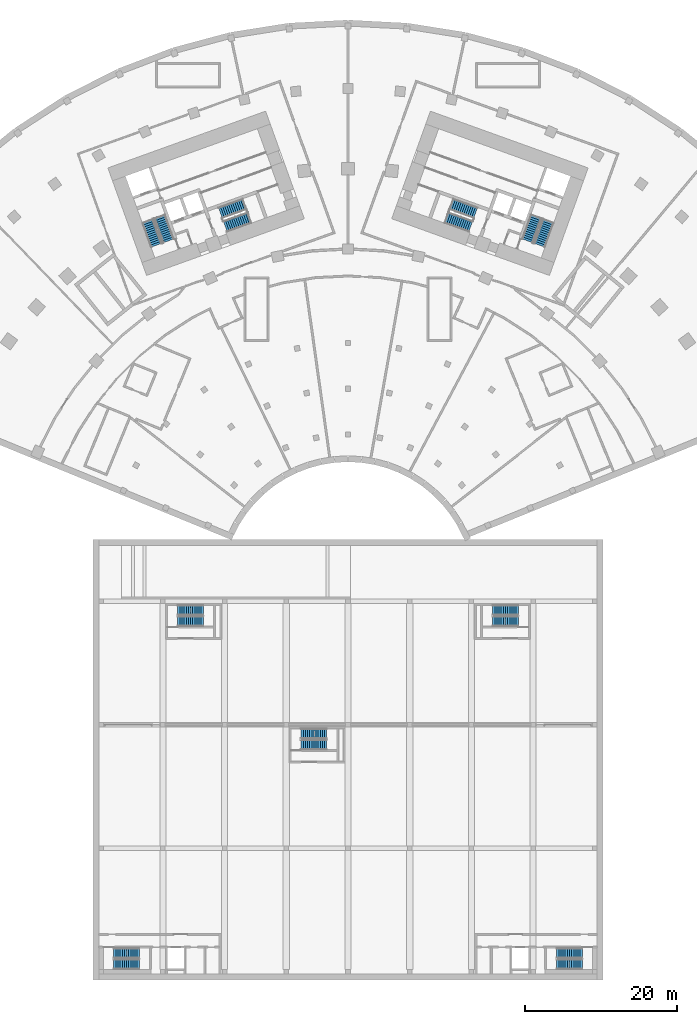
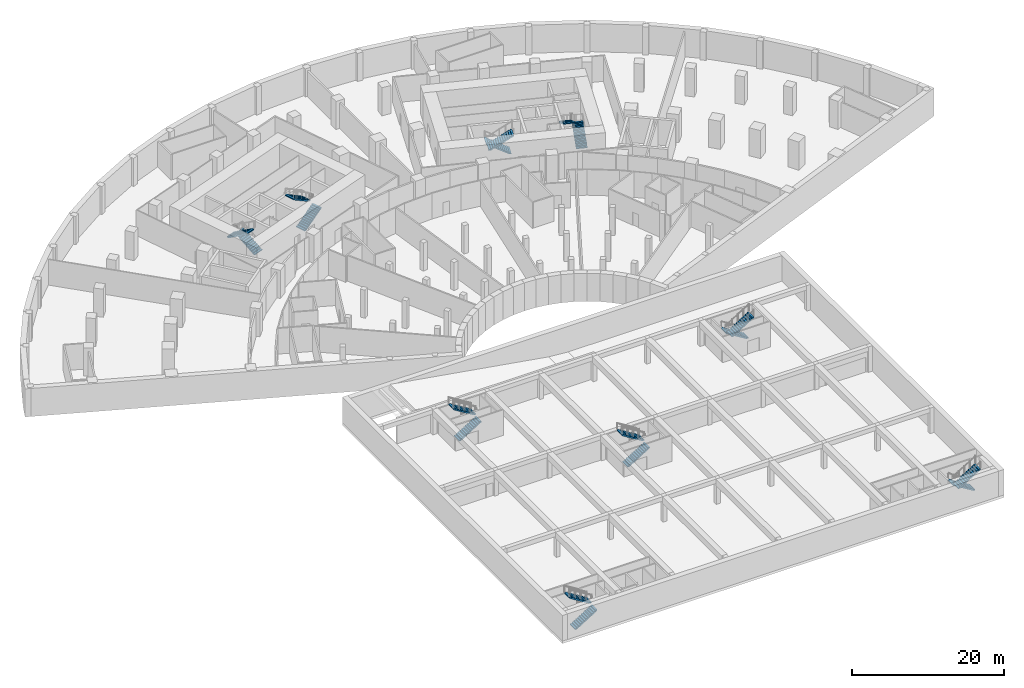
# One storey, part 14 of 21: 18 stair flights, 9 elements without a shape of their own.
"""IFC4 building model written with IfcOpenShell, lengths in metres."""

from ifc_helpers import new_model, si_unit, direction, frame, origin, place, context, subcontext, project, spatial, polyline, outline, extrude, material, layer, layer_set, type_object, element, aggregate, save


model = new_model("IFC4")

# Units and contexts
model_context = context("Model", 3, precision=1e-05, world=origin(), true_north=direction((0.0, 1.0)))
body_context = subcontext(model_context, "Body", "Model", "MODEL_VIEW")
ifc_project = project(units=[si_unit("LENGTHUNIT", "METRE"), si_unit("AREAUNIT", "SQUARE_METRE"), si_unit("VOLUMEUNIT", "CUBIC_METRE"), si_unit("PLANEANGLEUNIT", "RADIAN"), si_unit("MASSUNIT", "GRAM", prefix="KILO")], contexts=[model_context])

# Site, building, storey
site_placement = place(None, origin())
site = spatial("IfcSite", under=ifc_project, at=site_placement, CompositionType="ELEMENT")
building_placement = place(site_placement, origin())
building = spatial("IfcBuilding", under=site, at=building_placement, Name="Stone Belt Terrace Tower", CompositionType="ELEMENT")
storey_placement = place(building_placement, frame((0.0, 0.0, -9.0)))
storey = spatial("IfcBuildingStorey", under=building, at=storey_placement, Name="B2", CompositionType="ELEMENT", Elevation=-9.0)

# Stair, stair flights
ifc_material_1 = material(Name="Concrete B30", Category="concrete")
stair_type_1 = type_object("IfcStairType", Name="Car park stair 1200", PredefinedType="HALF_TURN_STAIR", material=ifc_material_1)
stair_1_placement = place(storey_placement, origin())
stair_1 = element("IfcStair", 1, at=stair_1_placement, inside=storey, type_object=stair_type_1, Name="B2 Car park stair 1", PredefinedType="HALF_TURN_STAIR")
ifc_layer = layer(ifc_material_1, 0.14990234375)
ifc_layer_set = layer_set([ifc_layer], Name="Car park stair flight 1200")
stair_flight_type_1 = type_object("IfcStairFlightType", Name="Car park stair flight 1200", PredefinedType="STRAIGHT", material=ifc_layer_set)
stair_flight_1_placement = place(storey_placement, frame((-30.75, -49.425048828125, 0.0), z_axis=(0.0, 0.0, 1.0), x_axis=(1.0, 0.0, 0.0)))
stair_flight_1 = element("IfcStairFlight", 2, at=stair_flight_1_placement, type_object=stair_flight_type_1, Name="CS1 flight 1", NumberOfRisers=13, NumberOfTreads=12, PredefinedType="STRAIGHT", RiserHeight=0.173076923, TreadLength=0.28, context=body_context, shape_type="SweptSolid", body=[
    extrude(outline(polyline([(0.0, 0.0), (0.0, 0.173095703125), (0.280029296875, 0.173095703125), (0.280029296875, 0.34619140625), (0.56005859375, 0.34619140625), (0.56005859375, 0.519287109375), (0.840087890625, 0.519287109375), (0.840087890625, 0.6923828125), (1.1201171875, 0.6923828125), (1.1201171875, 0.865478515625), (1.39990234375, 0.865478515625), (1.39990234375, 1.03857421875), (1.679931640625, 1.03857421875), (1.679931640625, 1.21142578125), (1.9599609375, 1.21142578125), (1.9599609375, 1.384521484375), (2.239990234375, 1.384521484375), (2.239990234375, 1.5576171875), (2.52001953125, 1.5576171875), (2.52001953125, 1.730712890625), (2.800048828125, 1.730712890625), (2.800048828125, 1.90380859375), (3.080078125, 1.90380859375), (3.080078125, 2.076904296875), (3.360107421875, 2.076904296875), (3.360107421875, 2.25), (3.360107421875, 1.900634765625), (0.28515625, 0.0), (0.0, 0.0)])), frame((0.0, 0.675048828125, 0.0), z_axis=(0.0, -1.0, 0.0), x_axis=(1.0, 0.0, 0.0)), (0.0, 0.0, 1.0), 1.35009765625),
])
stair_flight_2_placement = place(storey_placement, frame((-27.389892578125, -47.97509765625, 2.25), z_axis=(0.0, 0.0, 1.0), x_axis=(-1.0, 0.0, 0.0)))
stair_flight_2 = element("IfcStairFlight", 3, at=stair_flight_2_placement, type_object=stair_flight_type_1, Name="CS1 flight 2", NumberOfRisers=13, NumberOfTreads=12, PredefinedType="STRAIGHT", RiserHeight=0.173076923, TreadLength=0.28, context=body_context, shape_type="SweptSolid", body=[
    extrude(outline(polyline([(0.0, 0.0), (0.0, 0.173095703125), (0.280029296875, 0.173095703125), (0.280029296875, 0.34619140625), (0.56005859375, 0.34619140625), (0.56005859375, 0.519287109375), (0.840087890625, 0.519287109375), (0.840087890625, 0.6923828125), (1.1201171875, 0.6923828125), (1.1201171875, 0.865478515625), (1.39990234375, 0.865478515625), (1.39990234375, 1.03857421875), (1.679931640625, 1.03857421875), (1.679931640625, 1.21142578125), (1.9599609375, 1.21142578125), (1.9599609375, 1.384521484375), (2.239990234375, 1.384521484375), (2.239990234375, 1.5576171875), (2.52001953125, 1.5576171875), (2.52001953125, 1.730712890625), (2.800048828125, 1.730712890625), (2.800048828125, 1.90380859375), (3.080078125, 1.90380859375), (3.080078125, 2.076904296875), (3.360107421875, 2.076904296875), (3.360107421875, 2.25), (3.360107421875, 1.900634765625), (0.28515625, 0.0), (0.0, 0.0)])), frame((0.0, 0.675048828125, 0.0), z_axis=(0.0, -1.0, 0.0), x_axis=(1.0, 0.0, 0.0)), (0.0, 0.0, 1.0), 1.35009765625),
])
aggregate(stair_1, [stair_flight_1, stair_flight_2])

stair_2_placement = place(storey_placement, origin())
stair_2 = element("IfcStair", 4, at=stair_2_placement, inside=storey, type_object=stair_type_1, Name="B2 Car park stair 2", PredefinedType="HALF_TURN_STAIR")
stair_flight_3_placement = place(storey_placement, frame((30.75, -47.97509765625, 0.0), z_axis=(0.0, 0.0, 1.0), x_axis=(-1.0, 0.0, 0.0)))
stair_flight_3 = element("IfcStairFlight", 5, at=stair_flight_3_placement, type_object=stair_flight_type_1, Name="CS2 flight 1", NumberOfRisers=13, NumberOfTreads=12, PredefinedType="STRAIGHT", RiserHeight=0.173076923, TreadLength=0.28, context=body_context, shape_type="SweptSolid", body=[
    extrude(outline(polyline([(0.0, 0.0), (0.0, 0.173095703125), (0.280029296875, 0.173095703125), (0.280029296875, 0.34619140625), (0.56005859375, 0.34619140625), (0.56005859375, 0.519287109375), (0.840087890625, 0.519287109375), (0.840087890625, 0.6923828125), (1.1201171875, 0.6923828125), (1.1201171875, 0.865478515625), (1.39990234375, 0.865478515625), (1.39990234375, 1.03857421875), (1.679931640625, 1.03857421875), (1.679931640625, 1.21142578125), (1.9599609375, 1.21142578125), (1.9599609375, 1.384521484375), (2.239990234375, 1.384521484375), (2.239990234375, 1.5576171875), (2.52001953125, 1.5576171875), (2.52001953125, 1.730712890625), (2.800048828125, 1.730712890625), (2.800048828125, 1.90380859375), (3.080078125, 1.90380859375), (3.080078125, 2.076904296875), (3.360107421875, 2.076904296875), (3.360107421875, 2.25), (3.360107421875, 1.900634765625), (0.28515625, 0.0), (0.0, 0.0)])), frame((0.0, 0.675048828125, 0.0), z_axis=(0.0, -1.0, 0.0), x_axis=(1.0, 0.0, 0.0)), (0.0, 0.0, 1.0), 1.35009765625),
])
stair_flight_4_placement = place(storey_placement, frame((27.389892578125, -49.425048828125, 2.25), z_axis=(0.0, 0.0, 1.0), x_axis=(1.0, 0.0, 0.0)))
stair_flight_4 = element("IfcStairFlight", 6, at=stair_flight_4_placement, type_object=stair_flight_type_1, Name="CS2 flight 2", NumberOfRisers=13, NumberOfTreads=12, PredefinedType="STRAIGHT", RiserHeight=0.173076923, TreadLength=0.28, context=body_context, shape_type="SweptSolid", body=[
    extrude(outline(polyline([(0.0, 0.0), (0.0, 0.173095703125), (0.280029296875, 0.173095703125), (0.280029296875, 0.34619140625), (0.56005859375, 0.34619140625), (0.56005859375, 0.519287109375), (0.840087890625, 0.519287109375), (0.840087890625, 0.6923828125), (1.1201171875, 0.6923828125), (1.1201171875, 0.865478515625), (1.39990234375, 0.865478515625), (1.39990234375, 1.03857421875), (1.679931640625, 1.03857421875), (1.679931640625, 1.21142578125), (1.9599609375, 1.21142578125), (1.9599609375, 1.384521484375), (2.239990234375, 1.384521484375), (2.239990234375, 1.5576171875), (2.52001953125, 1.5576171875), (2.52001953125, 1.730712890625), (2.800048828125, 1.730712890625), (2.800048828125, 1.90380859375), (3.080078125, 1.90380859375), (3.080078125, 2.076904296875), (3.360107421875, 2.076904296875), (3.360107421875, 2.25), (3.360107421875, 1.900634765625), (0.28515625, 0.0), (0.0, 0.0)])), frame((0.0, 0.675048828125, 0.0), z_axis=(0.0, -1.0, 0.0), x_axis=(1.0, 0.0, 0.0)), (0.0, 0.0, 1.0), 1.35009765625),
])
aggregate(stair_2, [stair_flight_3, stair_flight_4])

stair_3_placement = place(storey_placement, origin())
stair_3 = element("IfcStair", 7, at=stair_3_placement, inside=storey, type_object=stair_type_1, Name="B2 Car park stair 3", PredefinedType="HALF_TURN_STAIR")
stair_flight_5_placement = place(storey_placement, frame((-22.35009765625, -4.425048828125, 0.0), z_axis=(0.0, 0.0, 1.0), x_axis=(1.0, 0.0, 0.0)))
stair_flight_5 = element("IfcStairFlight", 8, at=stair_flight_5_placement, type_object=stair_flight_type_1, Name="CS3 flight 1", NumberOfRisers=13, NumberOfTreads=12, PredefinedType="STRAIGHT", RiserHeight=0.173076923, TreadLength=0.28, context=body_context, shape_type="SweptSolid", body=[
    extrude(outline(polyline([(0.0, 0.0), (0.0, 0.173095703125), (0.280029296875, 0.173095703125), (0.280029296875, 0.34619140625), (0.56005859375, 0.34619140625), (0.56005859375, 0.519287109375), (0.840087890625, 0.519287109375), (0.840087890625, 0.6923828125), (1.1201171875, 0.6923828125), (1.1201171875, 0.865478515625), (1.39990234375, 0.865478515625), (1.39990234375, 1.03857421875), (1.679931640625, 1.03857421875), (1.679931640625, 1.21142578125), (1.9599609375, 1.21142578125), (1.9599609375, 1.384521484375), (2.239990234375, 1.384521484375), (2.239990234375, 1.5576171875), (2.52001953125, 1.5576171875), (2.52001953125, 1.730712890625), (2.800048828125, 1.730712890625), (2.800048828125, 1.90380859375), (3.080078125, 1.90380859375), (3.080078125, 2.076904296875), (3.360107421875, 2.076904296875), (3.360107421875, 2.25), (3.360107421875, 1.900634765625), (0.28515625, 0.0), (0.0, 0.0)])), frame((0.0, 0.675048828125, 0.0), z_axis=(0.0, -1.0, 0.0), x_axis=(1.0, 0.0, 0.0)), (0.0, 0.0, 1.0), 1.35009765625),
])
stair_flight_6_placement = place(storey_placement, frame((-18.989990234375, -2.97509765625, 2.25), z_axis=(0.0, 0.0, 1.0), x_axis=(-1.0, 0.0, 0.0)))
stair_flight_6 = element("IfcStairFlight", 9, at=stair_flight_6_placement, type_object=stair_flight_type_1, Name="CS3 flight 2", NumberOfRisers=13, NumberOfTreads=12, PredefinedType="STRAIGHT", RiserHeight=0.173076923, TreadLength=0.28, context=body_context, shape_type="SweptSolid", body=[
    extrude(outline(polyline([(0.0, 0.0), (0.0, 0.173095703125), (0.280029296875, 0.173095703125), (0.280029296875, 0.34619140625), (0.56005859375, 0.34619140625), (0.56005859375, 0.519287109375), (0.840087890625, 0.519287109375), (0.840087890625, 0.6923828125), (1.1201171875, 0.6923828125), (1.1201171875, 0.865478515625), (1.39990234375, 0.865478515625), (1.39990234375, 1.03857421875), (1.679931640625, 1.03857421875), (1.679931640625, 1.21142578125), (1.9599609375, 1.21142578125), (1.9599609375, 1.384521484375), (2.239990234375, 1.384521484375), (2.239990234375, 1.5576171875), (2.52001953125, 1.5576171875), (2.52001953125, 1.730712890625), (2.800048828125, 1.730712890625), (2.800048828125, 1.90380859375), (3.080078125, 1.90380859375), (3.080078125, 2.076904296875), (3.360107421875, 2.076904296875), (3.360107421875, 2.25), (3.360107421875, 1.900634765625), (0.28515625, 0.0), (0.0, 0.0)])), frame((0.0, 0.675048828125, 0.0), z_axis=(0.0, -1.0, 0.0), x_axis=(1.0, 0.0, 0.0)), (0.0, 0.0, 1.0), 1.35009765625),
])
aggregate(stair_3, [stair_flight_5, stair_flight_6])

stair_4_placement = place(storey_placement, origin())
stair_4 = element("IfcStair", 10, at=stair_4_placement, inside=storey, type_object=stair_type_1, Name="B2 Car park stair 4", PredefinedType="HALF_TURN_STAIR")
stair_flight_7_placement = place(storey_placement, frame((22.35009765625, -2.97509765625, 0.0), z_axis=(0.0, 0.0, 1.0), x_axis=(-1.0, 0.0, 0.0)))
stair_flight_7 = element("IfcStairFlight", 11, at=stair_flight_7_placement, type_object=stair_flight_type_1, Name="CS4 flight 1", NumberOfRisers=13, NumberOfTreads=12, PredefinedType="STRAIGHT", RiserHeight=0.173076923, TreadLength=0.28, context=body_context, shape_type="SweptSolid", body=[
    extrude(outline(polyline([(0.0, 0.0), (0.0, 0.173095703125), (0.280029296875, 0.173095703125), (0.280029296875, 0.34619140625), (0.56005859375, 0.34619140625), (0.56005859375, 0.519287109375), (0.840087890625, 0.519287109375), (0.840087890625, 0.6923828125), (1.1201171875, 0.6923828125), (1.1201171875, 0.865478515625), (1.39990234375, 0.865478515625), (1.39990234375, 1.03857421875), (1.679931640625, 1.03857421875), (1.679931640625, 1.21142578125), (1.9599609375, 1.21142578125), (1.9599609375, 1.384521484375), (2.239990234375, 1.384521484375), (2.239990234375, 1.5576171875), (2.52001953125, 1.5576171875), (2.52001953125, 1.730712890625), (2.800048828125, 1.730712890625), (2.800048828125, 1.90380859375), (3.080078125, 1.90380859375), (3.080078125, 2.076904296875), (3.360107421875, 2.076904296875), (3.360107421875, 2.25), (3.360107421875, 1.900634765625), (0.28515625, 0.0), (0.0, 0.0)])), frame((0.0, 0.675048828125, 0.0), z_axis=(0.0, -1.0, 0.0), x_axis=(1.0, 0.0, 0.0)), (0.0, 0.0, 1.0), 1.35009765625),
])
stair_flight_8_placement = place(storey_placement, frame((18.989990234375, -4.425048828125, 2.25), z_axis=(0.0, 0.0, 1.0), x_axis=(1.0, 0.0, 0.0)))
stair_flight_8 = element("IfcStairFlight", 12, at=stair_flight_8_placement, type_object=stair_flight_type_1, Name="CS4 flight 2", NumberOfRisers=13, NumberOfTreads=12, PredefinedType="STRAIGHT", RiserHeight=0.173076923, TreadLength=0.28, context=body_context, shape_type="SweptSolid", body=[
    extrude(outline(polyline([(0.0, 0.0), (0.0, 0.173095703125), (0.280029296875, 0.173095703125), (0.280029296875, 0.34619140625), (0.56005859375, 0.34619140625), (0.56005859375, 0.519287109375), (0.840087890625, 0.519287109375), (0.840087890625, 0.6923828125), (1.1201171875, 0.6923828125), (1.1201171875, 0.865478515625), (1.39990234375, 0.865478515625), (1.39990234375, 1.03857421875), (1.679931640625, 1.03857421875), (1.679931640625, 1.21142578125), (1.9599609375, 1.21142578125), (1.9599609375, 1.384521484375), (2.239990234375, 1.384521484375), (2.239990234375, 1.5576171875), (2.52001953125, 1.5576171875), (2.52001953125, 1.730712890625), (2.800048828125, 1.730712890625), (2.800048828125, 1.90380859375), (3.080078125, 1.90380859375), (3.080078125, 2.076904296875), (3.360107421875, 2.076904296875), (3.360107421875, 2.25), (3.360107421875, 1.900634765625), (0.28515625, 0.0), (0.0, 0.0)])), frame((0.0, 0.675048828125, 0.0), z_axis=(0.0, -1.0, 0.0), x_axis=(1.0, 0.0, 0.0)), (0.0, 0.0, 1.0), 1.35009765625),
])
aggregate(stair_4, [stair_flight_7, stair_flight_8])

stair_5_placement = place(storey_placement, origin())
stair_5 = element("IfcStair", 13, at=stair_5_placement, inside=storey, type_object=stair_type_1, Name="B2 Car park stair 5", PredefinedType="HALF_TURN_STAIR")
stair_flight_9_placement = place(storey_placement, frame((-6.14990234375, -20.625, 0.0), z_axis=(0.0, 0.0, 1.0), x_axis=(1.0, 0.0, 0.0)))
stair_flight_9 = element("IfcStairFlight", 14, at=stair_flight_9_placement, type_object=stair_flight_type_1, Name="CS5 flight 1", NumberOfRisers=13, NumberOfTreads=12, PredefinedType="STRAIGHT", RiserHeight=0.173076923, TreadLength=0.28, context=body_context, shape_type="SweptSolid", body=[
    extrude(outline(polyline([(0.0, 0.0), (0.0, 0.173095703125), (0.280029296875, 0.173095703125), (0.280029296875, 0.34619140625), (0.56005859375, 0.34619140625), (0.56005859375, 0.519287109375), (0.840087890625, 0.519287109375), (0.840087890625, 0.6923828125), (1.1201171875, 0.6923828125), (1.1201171875, 0.865478515625), (1.39990234375, 0.865478515625), (1.39990234375, 1.03857421875), (1.679931640625, 1.03857421875), (1.679931640625, 1.21142578125), (1.9599609375, 1.21142578125), (1.9599609375, 1.384521484375), (2.239990234375, 1.384521484375), (2.239990234375, 1.5576171875), (2.52001953125, 1.5576171875), (2.52001953125, 1.730712890625), (2.800048828125, 1.730712890625), (2.800048828125, 1.90380859375), (3.080078125, 1.90380859375), (3.080078125, 2.076904296875), (3.360107421875, 2.076904296875), (3.360107421875, 2.25), (3.360107421875, 1.900634765625), (0.28515625, 0.0), (0.0, 0.0)])), frame((0.0, 0.675048828125, 0.0), z_axis=(0.0, -1.0, 0.0), x_axis=(1.0, 0.0, 0.0)), (0.0, 0.0, 1.0), 1.35009765625),
])
stair_flight_10_placement = place(storey_placement, frame((-2.7900390625, -19.175048828125, 2.25), z_axis=(0.0, 0.0, 1.0), x_axis=(-1.0, 0.0, 0.0)))
stair_flight_10 = element("IfcStairFlight", 15, at=stair_flight_10_placement, type_object=stair_flight_type_1, Name="CS5 flight 2", NumberOfRisers=13, NumberOfTreads=12, PredefinedType="STRAIGHT", RiserHeight=0.173076923, TreadLength=0.28, context=body_context, shape_type="SweptSolid", body=[
    extrude(outline(polyline([(0.0, 0.0), (0.0, 0.173095703125), (0.280029296875, 0.173095703125), (0.280029296875, 0.34619140625), (0.56005859375, 0.34619140625), (0.56005859375, 0.519287109375), (0.840087890625, 0.519287109375), (0.840087890625, 0.6923828125), (1.1201171875, 0.6923828125), (1.1201171875, 0.865478515625), (1.39990234375, 0.865478515625), (1.39990234375, 1.03857421875), (1.679931640625, 1.03857421875), (1.679931640625, 1.21142578125), (1.9599609375, 1.21142578125), (1.9599609375, 1.384521484375), (2.239990234375, 1.384521484375), (2.239990234375, 1.5576171875), (2.52001953125, 1.5576171875), (2.52001953125, 1.730712890625), (2.800048828125, 1.730712890625), (2.800048828125, 1.90380859375), (3.080078125, 1.90380859375), (3.080078125, 2.076904296875), (3.360107421875, 2.076904296875), (3.360107421875, 2.25), (3.360107421875, 1.900634765625), (0.28515625, 0.0), (0.0, 0.0)])), frame((0.0, 0.675048828125, 0.0), z_axis=(0.0, -1.0, 0.0), x_axis=(1.0, 0.0, 0.0)), (0.0, 0.0, 1.0), 1.35009765625),
])
aggregate(stair_5, [stair_flight_9, stair_flight_10])

ifc_material_2 = material(Name="Concrete B40", Category="concrete")
stair_type_2 = type_object("IfcStairType", Name="Exit stair 1500", PredefinedType="HALF_TURN_STAIR", material=ifc_material_2)
stair_6_placement = place(storey_placement, origin())
stair_6 = element("IfcStair", 16, at=stair_6_placement, inside=storey, type_object=stair_type_2, Name="B2 Exit stair 1 core A", PredefinedType="HALF_TURN_STAIR")
stair_flight_type_2 = type_object("IfcStairFlightType", Name="Stair flight 1500", PredefinedType="STRAIGHT", material=ifc_material_2)
stair_flight_11_placement = place(storey_placement, frame((-23.55322265625, 45.51318359375, 0.0), z_axis=(0.0, 0.0, 1.0), x_axis=(-0.338624396177, 0.940921632398, 0.0)))
stair_flight_11 = element("IfcStairFlight", 17, at=stair_flight_11_placement, type_object=stair_flight_type_2, Name="ST1A flight 1", NumberOfRisers=13, NumberOfTreads=12, PredefinedType="STRAIGHT", RiserHeight=0.173076923, TreadLength=0.28, context=body_context, shape_type="SweptSolid", body=[
    extrude(outline(polyline([(0.0, 0.0), (0.0, 0.173095703125), (0.280029296875, 0.173095703125), (0.280029296875, 0.34619140625), (0.56005859375, 0.34619140625), (0.56005859375, 0.519287109375), (0.840087890625, 0.519287109375), (0.840087890625, 0.6923828125), (1.1201171875, 0.6923828125), (1.1201171875, 0.865478515625), (1.39990234375, 0.865478515625), (1.39990234375, 1.03857421875), (1.679931640625, 1.03857421875), (1.679931640625, 1.21142578125), (1.9599609375, 1.21142578125), (1.9599609375, 1.384521484375), (2.239990234375, 1.384521484375), (2.239990234375, 1.5576171875), (2.52001953125, 1.5576171875), (2.52001953125, 1.730712890625), (2.800048828125, 1.730712890625), (2.800048828125, 1.90380859375), (3.080078125, 1.90380859375), (3.080078125, 2.076904296875), (3.360107421875, 2.076904296875), (3.360107421875, 2.25), (3.360107421875, 1.900634765625), (0.28515625, 0.0), (0.0, 0.0)])), frame((0.0, 0.75, 0.0), z_axis=(0.0, -1.0, 0.0), x_axis=(1.0, 0.0, 0.0)), (0.0, 0.0, 1.0), 1.5),
])
stair_flight_12_placement = place(storey_placement, frame((-26.290771484375, 48.098876953125, 2.25), z_axis=(0.0, 0.0, 1.0), x_axis=(0.338624396177, -0.940921632398, 0.0)))
stair_flight_12 = element("IfcStairFlight", 18, at=stair_flight_12_placement, type_object=stair_flight_type_2, Name="ST1A flight 2", NumberOfRisers=13, NumberOfTreads=12, PredefinedType="STRAIGHT", RiserHeight=0.173076923, TreadLength=0.28, context=body_context, shape_type="SweptSolid", body=[
    extrude(outline(polyline([(0.0, 0.0), (0.0, 0.173095703125), (0.280029296875, 0.173095703125), (0.280029296875, 0.34619140625), (0.56005859375, 0.34619140625), (0.56005859375, 0.519287109375), (0.840087890625, 0.519287109375), (0.840087890625, 0.6923828125), (1.1201171875, 0.6923828125), (1.1201171875, 0.865478515625), (1.39990234375, 0.865478515625), (1.39990234375, 1.03857421875), (1.679931640625, 1.03857421875), (1.679931640625, 1.21142578125), (1.9599609375, 1.21142578125), (1.9599609375, 1.384521484375), (2.239990234375, 1.384521484375), (2.239990234375, 1.5576171875), (2.52001953125, 1.5576171875), (2.52001953125, 1.730712890625), (2.800048828125, 1.730712890625), (2.800048828125, 1.90380859375), (3.080078125, 1.90380859375), (3.080078125, 2.076904296875), (3.360107421875, 2.076904296875), (3.360107421875, 2.25), (3.360107421875, 1.900634765625), (0.28515625, 0.0), (0.0, 0.0)])), frame((0.0, 0.75, 0.0), z_axis=(0.0, -1.0, 0.0), x_axis=(1.0, 0.0, 0.0)), (0.0, 0.0, 1.0), 1.5),
])
aggregate(stair_6, [stair_flight_11, stair_flight_12])

stair_7_placement = place(storey_placement, origin())
stair_7 = element("IfcStair", 19, at=stair_7_placement, inside=storey, type_object=stair_type_2, Name="B2 Exit stair 2 core A", PredefinedType="HALF_TURN_STAIR")
stair_flight_13_placement = place(storey_placement, frame((-16.101318359375, 47.39794921875, 0.0), z_axis=(0.0, 0.0, 1.0), x_axis=(0.940921632398, 0.338624396177, 0.0)))
stair_flight_13 = element("IfcStairFlight", 20, at=stair_flight_13_placement, type_object=stair_flight_type_2, Name="ST2A flight 1", NumberOfRisers=13, NumberOfTreads=12, PredefinedType="STRAIGHT", RiserHeight=0.173076923, TreadLength=0.28, context=body_context, shape_type="SweptSolid", body=[
    extrude(outline(polyline([(0.0, 0.0), (0.0, 0.173095703125), (0.280029296875, 0.173095703125), (0.280029296875, 0.34619140625), (0.56005859375, 0.34619140625), (0.56005859375, 0.519287109375), (0.840087890625, 0.519287109375), (0.840087890625, 0.6923828125), (1.1201171875, 0.6923828125), (1.1201171875, 0.865478515625), (1.39990234375, 0.865478515625), (1.39990234375, 1.03857421875), (1.679931640625, 1.03857421875), (1.679931640625, 1.21142578125), (1.9599609375, 1.21142578125), (1.9599609375, 1.384521484375), (2.239990234375, 1.384521484375), (2.239990234375, 1.5576171875), (2.52001953125, 1.5576171875), (2.52001953125, 1.730712890625), (2.800048828125, 1.730712890625), (2.800048828125, 1.90380859375), (3.080078125, 1.90380859375), (3.080078125, 2.076904296875), (3.360107421875, 2.076904296875), (3.360107421875, 2.25), (3.360107421875, 1.900634765625), (0.28515625, 0.0), (0.0, 0.0)])), frame((0.0, 0.75, 0.0), z_axis=(0.0, -1.0, 0.0), x_axis=(1.0, 0.0, 0.0)), (0.0, 0.0, 1.0), 1.5),
])
stair_flight_14_placement = place(storey_placement, frame((-13.583251953125, 50.323486328125, 2.25), z_axis=(0.0, 0.0, 1.0), x_axis=(-0.940921632398, -0.338624396177, 0.0)))
stair_flight_14 = element("IfcStairFlight", 21, at=stair_flight_14_placement, type_object=stair_flight_type_2, Name="ST2A flight 2", NumberOfRisers=13, NumberOfTreads=12, PredefinedType="STRAIGHT", RiserHeight=0.173076923, TreadLength=0.28, context=body_context, shape_type="SweptSolid", body=[
    extrude(outline(polyline([(0.0, 0.0), (0.0, 0.173095703125), (0.280029296875, 0.173095703125), (0.280029296875, 0.34619140625), (0.56005859375, 0.34619140625), (0.56005859375, 0.519287109375), (0.840087890625, 0.519287109375), (0.840087890625, 0.6923828125), (1.1201171875, 0.6923828125), (1.1201171875, 0.865478515625), (1.39990234375, 0.865478515625), (1.39990234375, 1.03857421875), (1.679931640625, 1.03857421875), (1.679931640625, 1.21142578125), (1.9599609375, 1.21142578125), (1.9599609375, 1.384521484375), (2.239990234375, 1.384521484375), (2.239990234375, 1.5576171875), (2.52001953125, 1.5576171875), (2.52001953125, 1.730712890625), (2.800048828125, 1.730712890625), (2.800048828125, 1.90380859375), (3.080078125, 1.90380859375), (3.080078125, 2.076904296875), (3.360107421875, 2.076904296875), (3.360107421875, 2.25), (3.360107421875, 1.900634765625), (0.28515625, 0.0), (0.0, 0.0)])), frame((0.0, 0.75, 0.0), z_axis=(0.0, -1.0, 0.0), x_axis=(1.0, 0.0, 0.0)), (0.0, 0.0, 1.0), 1.5),
])
aggregate(stair_7, [stair_flight_13, stair_flight_14])

stair_8_placement = place(storey_placement, origin())
stair_8 = element("IfcStair", 22, at=stair_8_placement, inside=storey, type_object=stair_type_2, Name="B2 Exit stair 1 core B", PredefinedType="HALF_TURN_STAIR")
stair_flight_15_placement = place(storey_placement, frame((25.15283203125, 44.9375, 0.0), z_axis=(0.0, 0.0, 1.0), x_axis=(0.338624396177, 0.940921632398, 0.0)))
stair_flight_15 = element("IfcStairFlight", 23, at=stair_flight_15_placement, type_object=stair_flight_type_2, Name="ST1B flight 1", NumberOfRisers=13, NumberOfTreads=12, PredefinedType="STRAIGHT", RiserHeight=0.173076923, TreadLength=0.28, context=body_context, shape_type="SweptSolid", body=[
    extrude(outline(polyline([(0.0, 0.0), (0.0, 0.173095703125), (0.280029296875, 0.173095703125), (0.280029296875, 0.34619140625), (0.56005859375, 0.34619140625), (0.56005859375, 0.519287109375), (0.840087890625, 0.519287109375), (0.840087890625, 0.6923828125), (1.1201171875, 0.6923828125), (1.1201171875, 0.865478515625), (1.39990234375, 0.865478515625), (1.39990234375, 1.03857421875), (1.679931640625, 1.03857421875), (1.679931640625, 1.21142578125), (1.9599609375, 1.21142578125), (1.9599609375, 1.384521484375), (2.239990234375, 1.384521484375), (2.239990234375, 1.5576171875), (2.52001953125, 1.5576171875), (2.52001953125, 1.730712890625), (2.800048828125, 1.730712890625), (2.800048828125, 1.90380859375), (3.080078125, 1.90380859375), (3.080078125, 2.076904296875), (3.360107421875, 2.076904296875), (3.360107421875, 2.25), (3.360107421875, 1.900634765625), (0.28515625, 0.0), (0.0, 0.0)])), frame((0.0, 0.75, 0.0), z_axis=(0.0, -1.0, 0.0), x_axis=(1.0, 0.0, 0.0)), (0.0, 0.0, 1.0), 1.5),
])
stair_flight_16_placement = place(storey_placement, frame((24.691162109375, 48.674560546875, 2.25), z_axis=(0.0, 0.0, 1.0), x_axis=(-0.338624396177, -0.940921632398, 0.0)))
stair_flight_16 = element("IfcStairFlight", 24, at=stair_flight_16_placement, type_object=stair_flight_type_2, Name="ST1B flight 2", NumberOfRisers=13, NumberOfTreads=12, PredefinedType="STRAIGHT", RiserHeight=0.173076923, TreadLength=0.28, context=body_context, shape_type="SweptSolid", body=[
    extrude(outline(polyline([(0.0, 0.0), (0.0, 0.173095703125), (0.280029296875, 0.173095703125), (0.280029296875, 0.34619140625), (0.56005859375, 0.34619140625), (0.56005859375, 0.519287109375), (0.840087890625, 0.519287109375), (0.840087890625, 0.6923828125), (1.1201171875, 0.6923828125), (1.1201171875, 0.865478515625), (1.39990234375, 0.865478515625), (1.39990234375, 1.03857421875), (1.679931640625, 1.03857421875), (1.679931640625, 1.21142578125), (1.9599609375, 1.21142578125), (1.9599609375, 1.384521484375), (2.239990234375, 1.384521484375), (2.239990234375, 1.5576171875), (2.52001953125, 1.5576171875), (2.52001953125, 1.730712890625), (2.800048828125, 1.730712890625), (2.800048828125, 1.90380859375), (3.080078125, 1.90380859375), (3.080078125, 2.076904296875), (3.360107421875, 2.076904296875), (3.360107421875, 2.25), (3.360107421875, 1.900634765625), (0.28515625, 0.0), (0.0, 0.0)])), frame((0.0, 0.75, 0.0), z_axis=(0.0, -1.0, 0.0), x_axis=(1.0, 0.0, 0.0)), (0.0, 0.0, 1.0), 1.5),
])
aggregate(stair_8, [stair_flight_15, stair_flight_16])

stair_9_placement = place(storey_placement, origin())
stair_9 = element("IfcStair", 25, at=stair_9_placement, inside=storey, type_object=stair_type_2, Name="B2 Exit stair 2 core B", PredefinedType="HALF_TURN_STAIR")
stair_flight_17_placement = place(storey_placement, frame((16.74462890625, 49.185546875, 0.0), z_axis=(0.0, 0.0, 1.0), x_axis=(-0.940921632398, 0.338624396177, 0.0)))
stair_flight_17 = element("IfcStairFlight", 26, at=stair_flight_17_placement, type_object=stair_flight_type_2, Name="ST2B flight 1", NumberOfRisers=13, NumberOfTreads=12, PredefinedType="STRAIGHT", RiserHeight=0.173076923, TreadLength=0.28, context=body_context, shape_type="SweptSolid", body=[
    extrude(outline(polyline([(0.0, 0.0), (0.0, 0.173095703125), (0.280029296875, 0.173095703125), (0.280029296875, 0.34619140625), (0.56005859375, 0.34619140625), (0.56005859375, 0.519287109375), (0.840087890625, 0.519287109375), (0.840087890625, 0.6923828125), (1.1201171875, 0.6923828125), (1.1201171875, 0.865478515625), (1.39990234375, 0.865478515625), (1.39990234375, 1.03857421875), (1.679931640625, 1.03857421875), (1.679931640625, 1.21142578125), (1.9599609375, 1.21142578125), (1.9599609375, 1.384521484375), (2.239990234375, 1.384521484375), (2.239990234375, 1.5576171875), (2.52001953125, 1.5576171875), (2.52001953125, 1.730712890625), (2.800048828125, 1.730712890625), (2.800048828125, 1.90380859375), (3.080078125, 1.90380859375), (3.080078125, 2.076904296875), (3.360107421875, 2.076904296875), (3.360107421875, 2.25), (3.360107421875, 1.900634765625), (0.28515625, 0.0), (0.0, 0.0)])), frame((0.0, 0.75, 0.0), z_axis=(0.0, -1.0, 0.0), x_axis=(1.0, 0.0, 0.0)), (0.0, 0.0, 1.0), 1.5),
])
stair_flight_18_placement = place(storey_placement, frame((12.93994140625, 48.53564453125, 2.25), z_axis=(0.0, 0.0, 1.0), x_axis=(0.940921632398, -0.338624396177, 0.0)))
stair_flight_18 = element("IfcStairFlight", 27, at=stair_flight_18_placement, type_object=stair_flight_type_2, Name="ST2B flight 2", NumberOfRisers=13, NumberOfTreads=12, PredefinedType="STRAIGHT", RiserHeight=0.173076923, TreadLength=0.28, context=body_context, shape_type="SweptSolid", body=[
    extrude(outline(polyline([(0.0, 0.0), (0.0, 0.173095703125), (0.280029296875, 0.173095703125), (0.280029296875, 0.34619140625), (0.56005859375, 0.34619140625), (0.56005859375, 0.519287109375), (0.840087890625, 0.519287109375), (0.840087890625, 0.6923828125), (1.1201171875, 0.6923828125), (1.1201171875, 0.865478515625), (1.39990234375, 0.865478515625), (1.39990234375, 1.03857421875), (1.679931640625, 1.03857421875), (1.679931640625, 1.21142578125), (1.9599609375, 1.21142578125), (1.9599609375, 1.384521484375), (2.239990234375, 1.384521484375), (2.239990234375, 1.5576171875), (2.52001953125, 1.5576171875), (2.52001953125, 1.730712890625), (2.800048828125, 1.730712890625), (2.800048828125, 1.90380859375), (3.080078125, 1.90380859375), (3.080078125, 2.076904296875), (3.360107421875, 2.076904296875), (3.360107421875, 2.25), (3.360107421875, 1.900634765625), (0.28515625, 0.0), (0.0, 0.0)])), frame((0.0, 0.75, 0.0), z_axis=(0.0, -1.0, 0.0), x_axis=(1.0, 0.0, 0.0)), (0.0, 0.0, 1.0), 1.5),
])
aggregate(stair_9, [stair_flight_17, stair_flight_18])

save(model, "model.ifc")
